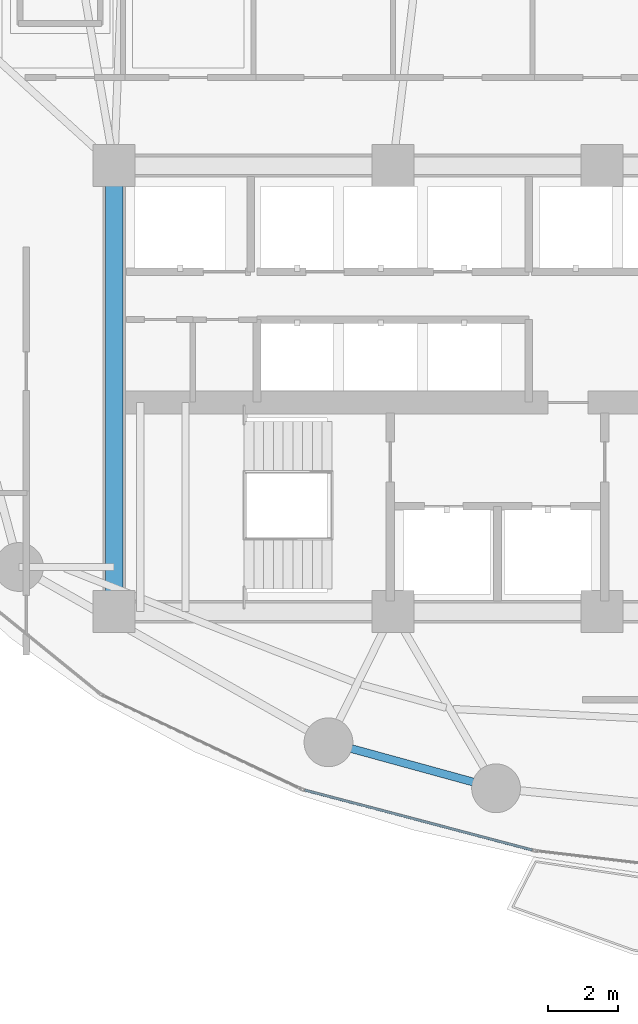
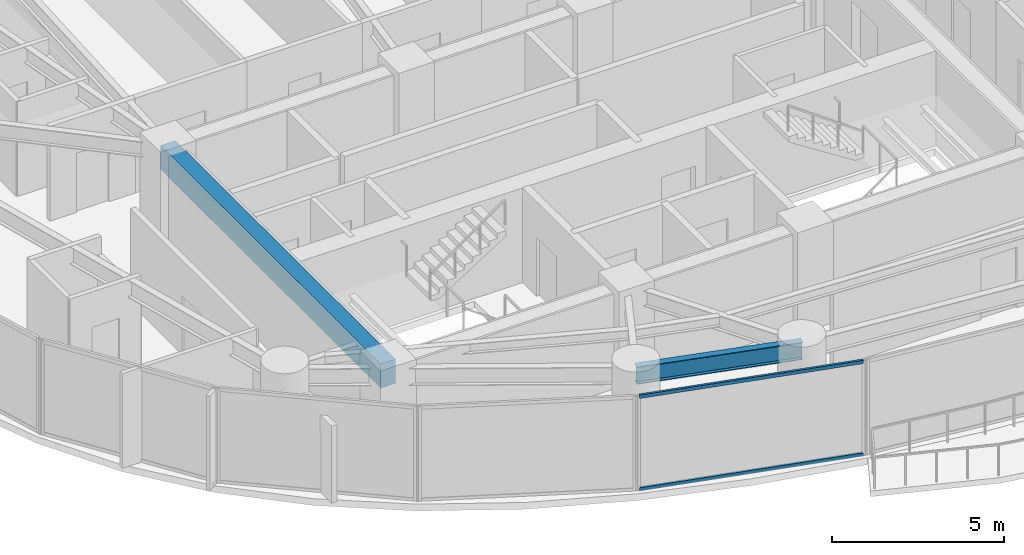
# One storey, part 4 of 31: 2 beams, 2 members, 1 element without a shape of its own.
"""IFC4 building model written with IfcOpenShell, lengths in metres."""

from ifc_helpers import new_model, si_unit, direction, frame, origin, origin_2d, place, context, subcontext, project, spatial, rectangle, hollow_rectangle, i_section, extrude, material, layer, layer_set, material_profile, profile_set, type_object, element, aggregate, save


model = new_model("IFC4")

# Units and contexts
model_context = context("Model", 3, precision=1e-05, world=origin(), true_north=direction((0.0, 1.0)))
body_context = subcontext(model_context, "Body", "Model", "MODEL_VIEW")
ifc_project = project(units=[si_unit("LENGTHUNIT", "METRE"), si_unit("AREAUNIT", "SQUARE_METRE"), si_unit("VOLUMEUNIT", "CUBIC_METRE"), si_unit("PLANEANGLEUNIT", "RADIAN"), si_unit("MASSUNIT", "GRAM", prefix="KILO")], contexts=[model_context])

# Site, building, storey
site_placement = place(None, origin())
site = spatial("IfcSite", under=ifc_project, at=site_placement, CompositionType="ELEMENT")
building_placement = place(site_placement, origin())
building = spatial("IfcBuilding", under=site, at=building_placement, Name="Kazevale Care Tower and Concert Hall", CompositionType="ELEMENT")
storey_placement = place(building_placement, frame((0.0, 0.0, 78.0)))
storey = spatial("IfcBuildingStorey", under=building, at=storey_placement, Name="L20", CompositionType="ELEMENT", Elevation=78.0)

# Curtain wall, members
ifc_material_1 = material(Name="Aluminium 6063-T6 and Low-E Glass", Category="aluminium")
ifc_layer = layer(ifc_material_1, 0.179931640625)
ifc_layer_set = layer_set([ifc_layer], Name="Aluminium 6063-T6 and Low-E Glass")
curtain_wall_type = type_object("IfcCurtainWallType", Name="Sheltered Concave Balcony Curtain Wall CW-5", PredefinedType="NOTDEFINED", material=ifc_layer_set)
curtain_wall_placement = place(storey_placement, origin())
curtain_wall = element("IfcCurtainWall", 1, at=curtain_wall_placement, inside=storey, type_object=curtain_wall_type, Name="cw:L20:f08", PredefinedType="NOTDEFINED")
ifc_material_2 = material(Name="Aluminium 6063-T6", Category="aluminium")
ifc_material_profile_1 = material_profile(ifc_material_2, hollow_rectangle(XDim=0.074951171875, YDim=0.1201171875, WallThickness=0.00390625, at=origin_2d()), Name="ALU75x120x4")
ifc_profile_set_1 = profile_set([ifc_material_profile_1], Name="Aluminium 6063-T6")
member_type = type_object("IfcMemberType", Name="CW-5 Transom ALU75x120x4", PredefinedType="USERDEFINED", material=ifc_profile_set_1)
member_1_placement = place(storey_placement, frame((33.995361328125, 16.760009765625, 0.03759765625), z_axis=(-0.966978405759, 0.254858319064, 0.0), x_axis=(-0.254858319064, -0.966978405759, 0.0)))
member_1 = element("IfcMember", 2, at=member_1_placement, type_object=member_type, Name="CW-5 transom 1.1", ObjectType="TRANSOM", PredefinedType="USERDEFINED", context=body_context, shape_type="SweptSolid", body=[
    extrude(hollow_rectangle(XDim=0.074951171875, YDim=0.1201171875, WallThickness=0.00390625, at=origin_2d()), origin(), (0.0, 0.0, 1.0), 6.748779296875),
])
member_2_placement = place(storey_placement, frame((33.995361328125, 16.760009765625, 3.322509765625), z_axis=(-0.966978405759, 0.254858319064, 0.0), x_axis=(-0.254858319064, -0.966978405759, 0.0)))
member_2 = element("IfcMember", 3, at=member_2_placement, type_object=member_type, Name="CW-5 transom 1.2", ObjectType="TRANSOM", PredefinedType="USERDEFINED", context=body_context, shape_type="SweptSolid", body=[
    extrude(hollow_rectangle(XDim=0.074951171875, YDim=0.1201171875, WallThickness=0.00390625, at=origin_2d()), origin(), (0.0, 0.0, 1.0), 6.748779296875),
])
aggregate(curtain_wall, [member_1, member_2])

# Beams
ifc_material_3 = material(Name="Concrete C60", Category="concrete")
ifc_material_profile_2 = material_profile(ifc_material_3, rectangle(XDim=0.5, YDim=0.85009765625, at=origin_2d()), Name="RC-B500x850")
ifc_profile_set_2 = profile_set([ifc_material_profile_2], Name="Concrete C60")
beam_type_1 = type_object("IfcBeamType", Name="Core Coupling Beam RC500x850", PredefinedType="LINTEL", material=ifc_profile_set_2)
beam_1_placement = place(storey_placement, frame((22.0, 36.39990234375, 2.93505859375), z_axis=(0.0, -1.0, 0.0), x_axis=(1.0, 0.0, 0.0)))
element("IfcBeam", 4, at=beam_1_placement, inside=storey, type_object=beam_type_1, Name="beam:L20:coretie:8", PredefinedType="LINTEL", context=body_context, shape_type="SweptSolid", body=[
    extrude(rectangle(XDim=0.5, YDim=0.85009765625, at=origin_2d()), origin(), (0.0, 0.0, 1.0), 12.7998046875),
])
ifc_material_4 = material(Name="Steel ASTM A572 Gr 50", Category="steel")
ifc_material_profile_3 = material_profile(ifc_material_4, i_section(OverallWidth=0.22900390625, OverallDepth=0.612060546875, WebThickness=0.011962890625, FlangeThickness=0.01953125, at=origin_2d()), Name="W610x125")
ifc_profile_set_3 = profile_set([ifc_material_profile_3], Name="Steel ASTM A572 Gr 50")
beam_type_2 = type_object("IfcBeamType", Name="Ring Spandrel Beam W610x125", PredefinedType="SPANDREL", material=ifc_profile_set_3)
beam_2_placement = place(storey_placement, frame((28.14990234375, 19.85009765625, 3.053955078125), z_axis=(0.964343540473, -0.264653615031, 0.0), x_axis=(0.264653615031, 0.964343540473, 0.0)))
element("IfcBeam", 5, at=beam_2_placement, inside=storey, type_object=beam_type_2, Name="beam:L20:ring:11", PredefinedType="SPANDREL", context=body_context, shape_type="SweptSolid", body=[
    extrude(i_section(OverallWidth=0.22900390625, OverallDepth=0.612060546875, WebThickness=0.011962890625, FlangeThickness=0.01953125, at=origin_2d()), origin(), (0.0, 0.0, 1.0), 4.98779296875),
])

save(model, "model.ifc")
